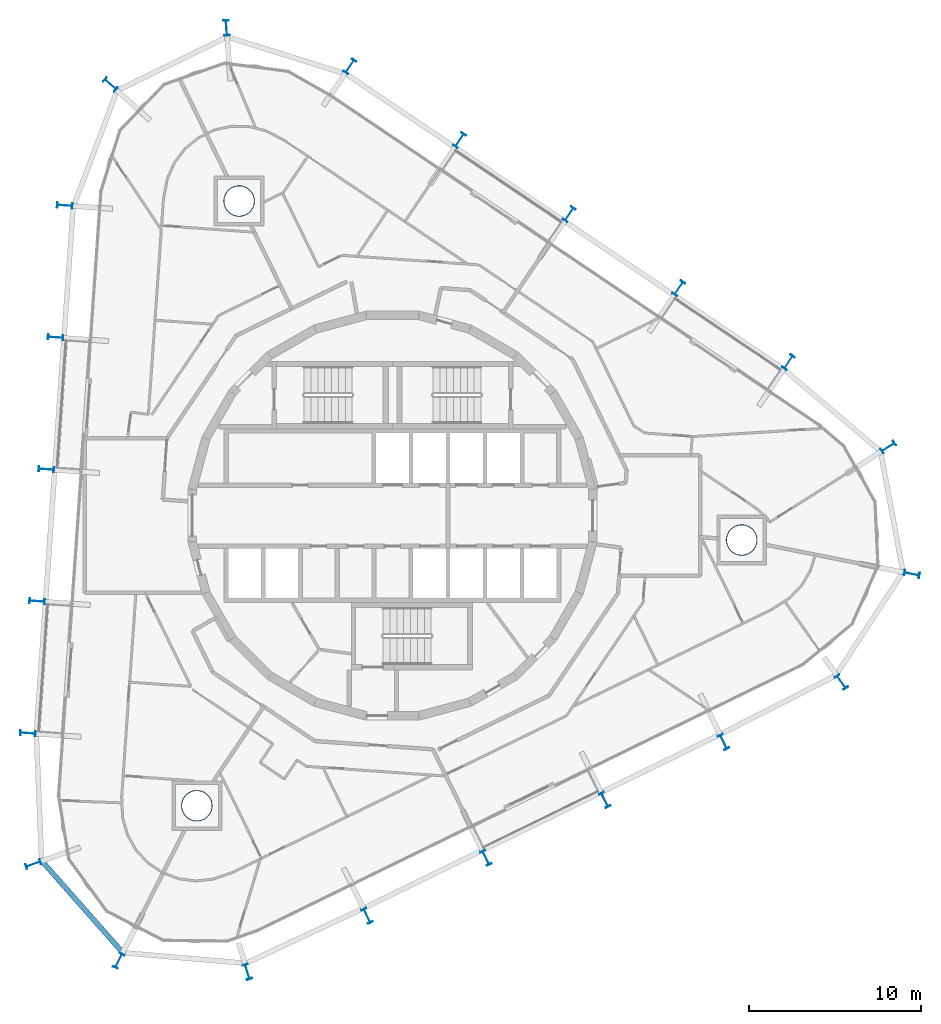
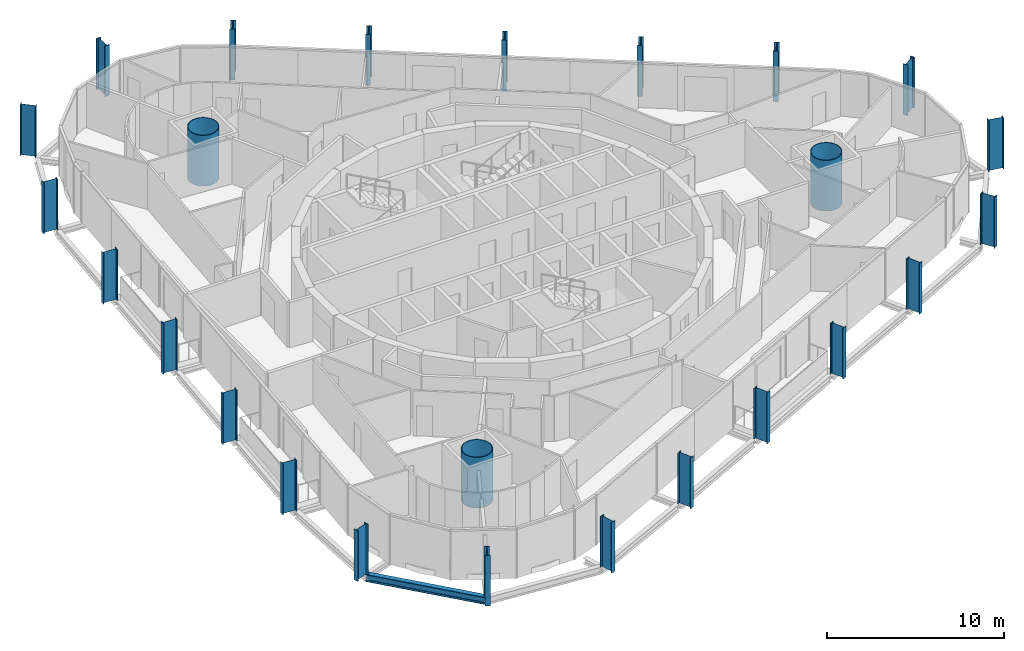
# One storey, part 1 of 18: 25 columns, 1 beam.
"""IFC4 building model written with IfcOpenShell, lengths in metres."""

from ifc_helpers import new_model, si_unit, direction, frame, origin, origin_2d, place, context, subcontext, project, spatial, hollow_circle, i_section, extrude, material, material_profile, profile_set, type_object, element, save


model = new_model("IFC4")

# Units and contexts
model_context = context("Model", 3, precision=1e-05, world=origin(), true_north=direction((0.0, 1.0)))
body_context = subcontext(model_context, "Body", "Model", "MODEL_VIEW")
ifc_project = project(units=[si_unit("LENGTHUNIT", "METRE"), si_unit("AREAUNIT", "SQUARE_METRE"), si_unit("VOLUMEUNIT", "CUBIC_METRE"), si_unit("PLANEANGLEUNIT", "RADIAN"), si_unit("MASSUNIT", "GRAM", prefix="KILO")], contexts=[model_context])

# Site, building, storey
site_placement = place(None, origin())
site = spatial("IfcSite", under=ifc_project, at=site_placement, CompositionType="ELEMENT")
building_placement = place(site_placement, origin())
building = spatial("IfcBuilding", under=site, at=building_placement, Name="Spindle Arch Residences", CompositionType="ELEMENT")
storey_placement = place(building_placement, frame((0.0, 0.0, 198.89990234375)))
storey = spatial("IfcBuildingStorey", under=building, at=storey_placement, Name="L50", CompositionType="ELEMENT", Elevation=198.89990234375)

# Columns
ifc_material_1 = material(Name="Steel S460ML, intumescent coating R 240", Category="steel")
ifc_material_profile_1 = material_profile(ifc_material_1, i_section(OverallWidth=0.300048828125, OverallDepth=0.89990234375, WebThickness=0.0185546875, FlangeThickness=0.034912109375, FilletRadius=0.030029296875, at=origin_2d()), Name="HEB 900")
ifc_profile_set_1 = profile_set([ifc_material_profile_1], Name="Steel S460ML, intumescent coating R 240")
column_type_1 = type_object("IfcColumnType", Name="Exoskeleton post HEB 900", PredefinedType="COLUMN", material=ifc_profile_set_1)
for number, where, z_axis, x_axis, name in (
    (1, (12.347900390625, -16.5419921875, -0.3798828125), (0.0, 0.0, 1.0), (-0.898794095235, -0.438371046456, 0.0), "Exoskeleton post 1"),
    (2, (19.26318359375, -13.169189453125, -0.3798828125), (0.0, 0.0, 1.0), (-0.898794095235, -0.438371046456, 0.0), "Exoskeleton post 2"),
    (3, (26.11669921875, -9.685546875, -0.3798828125), (0.0, 0.0, 1.0), (-0.818345137662, -0.574727096686, 0.0), "Exoskeleton post 3"),
    (4, (30.217041015625, -3.39501953125, -0.3798828125), (0.0, 0.0, 1.0), (-0.195504943379, -0.980702715972, 0.0), "Exoskeleton post 4"),
    (5, (28.84228515625, 3.9873046875, -0.3798828125), (0.0, 0.0, 1.0), (0.535400283339, -0.844598446956, 0.0), "Exoskeleton post 5"),
    (6, (23.03466796875, 8.926025390625, -0.3798828125), (0.0, 0.0, 1.0), (0.829037661466, -0.559192771654, 0.0), "Exoskeleton post 6"),
    (7, (16.65625, 13.228271484375, -0.3798828125), (0.0, 0.0, 1.0), (0.829037661466, -0.559192771654, 0.0), "Exoskeleton post 7"),
    (8, (10.27783203125, 17.530517578125, -0.3798828125), (0.0, 0.0, 1.0), (0.829037661466, -0.559192771654, 0.0), "Exoskeleton post 8"),
    (9, (3.8994140625, 21.832763671875, -0.3798828125), (0.0, 0.0, 1.0), (0.829037661466, -0.559192771654, 0.0), "Exoskeleton post 9"),
    (10, (-2.47900390625, 26.135009765625, -0.3798828125), (0.0, 0.0, 1.0), (0.829037661466, -0.559192771654, 0.0), "Exoskeleton post 10"),
    (11, (-9.66162109375, 28.3740234375, -0.3798828125), (0.0, 0.0, 1.0), (0.997343345089, 0.072844025201, 0.0), "Exoskeleton post 11"),
    (12, (-16.41064453125, 25.082275390625, -0.3798828125), (0.0, 0.0, 1.0), (0.671427897912, 0.741069887329, 0.0), "Exoskeleton post 12"),
    (13, (-19.068603515625, 18.043701171875, -0.3798828125), (0.0, 0.0, 1.0), (0.069756005795, 0.997564082982, 0.0), "Exoskeleton post 13"),
    (14, (-19.605224609375, 10.368896484375, -0.3798828125), (0.0, 0.0, 1.0), (0.069756005795, 0.997564082982, 0.0), "Exoskeleton post 14"),
    (15, (-20.141845703125, 2.69384765625, -0.3798828125), (0.0, 0.0, 1.0), (0.069756005795, 0.997564082982, 0.0), "Exoskeleton post 15"),
    (16, (-20.6787109375, -4.981201171875, -0.3798828125), (0.0, 0.0, 1.0), (0.069756005795, 0.997564082982, 0.0), "Exoskeleton post 16"),
    (17, (-21.21533203125, -12.656005859375, -0.3798828125), (0.0, 0.0, 1.0), (0.069756005795, 0.997564082982, 0.0), "Exoskeleton post 17"),
    (18, (-20.899169921875, -20.273193359375, -0.3798828125), (0.0, 0.0, 1.0), (-0.335927007751, 0.941888021722, 0.0), "Exoskeleton post 18"),
    (19, (-15.92822265625, -25.901611328125, -0.3798828125), (0.0, 0.0, 1.0), (-0.893169071277, 0.449721035881, 0.0), "Exoskeleton post 19"),
    (20, (-8.446533203125, -26.543212890625, -0.3798828125), (0.0, 0.0, 1.0), (-0.956714575216, -0.291027870778, 0.0), "Exoskeleton post 20"),
    (21, (-1.482177734375, -23.287353515625, -0.3798828125), (0.0, 0.0, 1.0), (-0.898794095235, -0.438371046456, 0.0), "Exoskeleton post 21"),
    (22, (5.43310546875, -19.91455078125, -0.3798828125), (0.0, 0.0, 1.0), (-0.898794095235, -0.438371046456, 0.0), "Exoskeleton post 22"),
):
    element("IfcColumn", number, at=place(storey_placement, frame(where, z_axis=z_axis, x_axis=x_axis)), inside=storey, type_object=column_type_1, Name=name, PredefinedType="COLUMN", context=body_context, shape_type="SweptSolid", body=[
        extrude(i_section(OverallWidth=0.300048828125, OverallDepth=0.89990234375, WebThickness=0.0185546875, FlangeThickness=0.034912109375, FilletRadius=0.030029296875, at=origin_2d()), origin(), (0.0, 0.0, 1.0), 3.5),
    ])
ifc_material_2 = material(Name="Concrete C50/60 filled steel tube S460ML, intumescent coating R 240", Category="concrete")
ifc_material_profile_2 = material_profile(ifc_material_2, hollow_circle(Radius=0.89990234375, WallThickness=0.0400390625, at=origin_2d()), Name="CFT D1800x40")
ifc_profile_set_2 = profile_set([ifc_material_profile_2], Name="Concrete C50/60 filled steel tube S460ML, intumescent coating R 240")
column_type_2 = type_object("IfcColumnType", Name="Mega-column CFT D1800x40", PredefinedType="COLUMN", material=ifc_profile_set_2)
for number, where, z_axis, x_axis, name in (
    (23, (20.31201171875, -1.42041015625, -0.3798828125), (0.0, 0.0, 1.0), (1.0, 0.0, 0.0), "Mega-column 1"),
    (24, (-8.92578125, 18.30078125, -0.3798828125), (0.0, 0.0, 1.0), (1.0, 0.0, 0.0), "Mega-column 2"),
    (25, (-11.385986328125, -16.880615234375, -0.3798828125), (0.0, 0.0, 1.0), (1.0, 0.0, 0.0), "Mega-column 3"),
):
    element("IfcColumn", number, at=place(storey_placement, frame(where, z_axis=z_axis, x_axis=x_axis)), inside=storey, type_object=column_type_2, Name=name, PredefinedType="COLUMN", context=body_context, shape_type="SweptSolid", body=[
        extrude(hollow_circle(Radius=0.89990234375, WallThickness=0.0400390625, at=origin_2d()), origin(), (0.0, 0.0, 1.0), 3.5),
    ])

# Beam
ifc_material_3 = material(Name="Steel S460ML, intumescent coating R 120", Category="steel")
ifc_material_profile_3 = material_profile(ifc_material_3, i_section(OverallWidth=0.300048828125, OverallDepth=0.5, WebThickness=0.014404296875, FlangeThickness=0.028076171875, FilletRadius=0.027099609375, at=origin_2d()), Name="HEB 500")
ifc_profile_set_3 = profile_set([ifc_material_profile_3], Name="Steel S460ML, intumescent coating R 120")
beam_type = type_object("IfcBeamType", Name="Exoskeleton edge beam HEB 500", PredefinedType="BEAM", material=ifc_profile_set_3)
beam_placement = place(storey_placement, frame((-20.44580078125, -20.04638671875, -0.6298828125), z_axis=(0.661985798565, -0.749516379073, 0.0), x_axis=(0.749516379073, 0.661985798565, 0.0)))
element("IfcBeam", 26, at=beam_placement, inside=storey, type_object=beam_type, Name="Exoskeleton edge beam 18", PredefinedType="BEAM", context=body_context, shape_type="SweptSolid", body=[
    extrude(i_section(OverallWidth=0.300048828125, OverallDepth=0.5, WebThickness=0.014404296875, FlangeThickness=0.028076171875, FilletRadius=0.027099609375, at=origin_2d()), origin(), (0.0, 0.0, 1.0), 7.2490234375),
])

save(model, "model.ifc")
